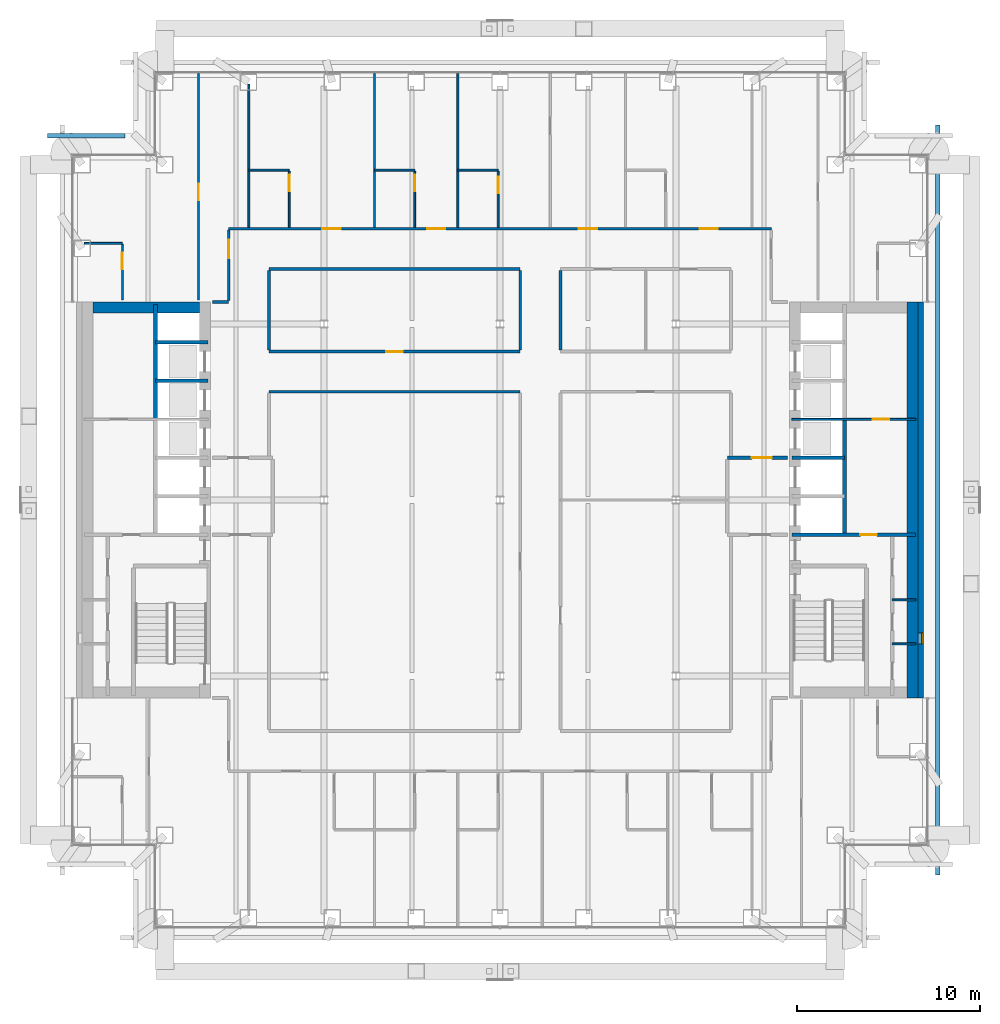
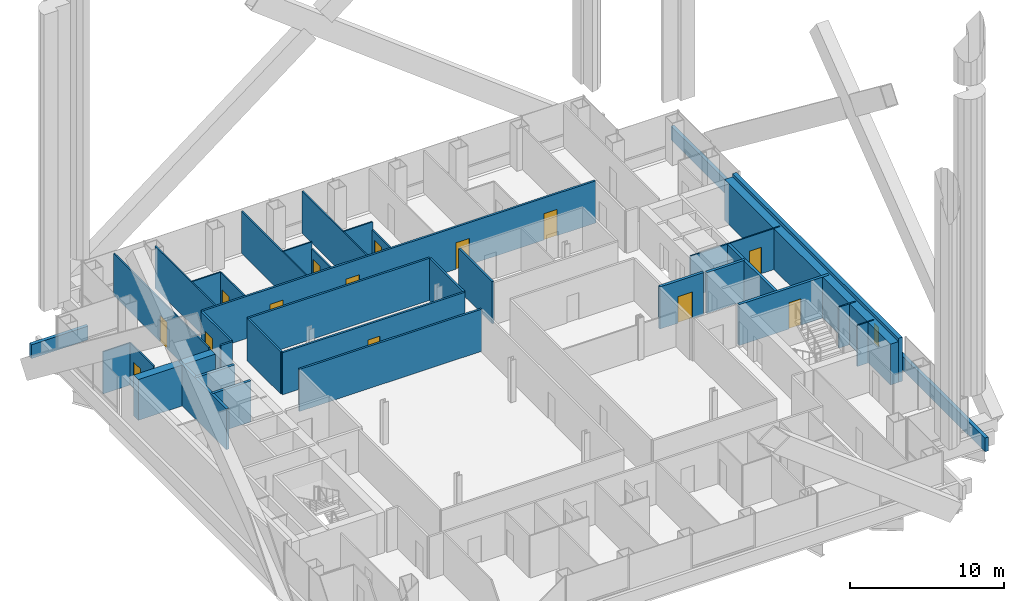
# One storey, part 15 of 22: 36 walls, 14 doors, 1 window, 15 openings.
"""IFC4 building model written with IfcOpenShell, lengths in metres."""

from ifc_helpers import new_model, si_unit, direction, frame, frame_2d, origin, place, context, subcontext, project, spatial, rectangle, extrude, material, layer, layer_set, type_object, element, fill, save


model = new_model("IFC4")

# Units and contexts
model_context = context("Model", 3, precision=1e-05, world=origin(), true_north=direction((0.0, 1.0)))
body_context = subcontext(model_context, "Body", "Model", "MODEL_VIEW")
ifc_project = project(units=[si_unit("LENGTHUNIT", "METRE"), si_unit("AREAUNIT", "SQUARE_METRE"), si_unit("VOLUMEUNIT", "CUBIC_METRE"), si_unit("PLANEANGLEUNIT", "RADIAN"), si_unit("MASSUNIT", "GRAM", prefix="KILO")], contexts=[model_context])

# Site, building, storey
site_placement = place(None, origin())
site = spatial("IfcSite", under=ifc_project, at=site_placement, CompositionType="ELEMENT")
building_placement = place(site_placement, origin())
building = spatial("IfcBuilding", under=site, at=building_placement, Name="Cobrizo Arcos Hotel Tower", CompositionType="ELEMENT")
storey_placement = place(building_placement, frame((0.0, 0.0, 89.0)))
storey = spatial("IfcBuildingStorey", under=building, at=storey_placement, Name="L21", CompositionType="ELEMENT", Elevation=89.0)

# Wall
ifc_material_1 = material(Name="Gypsum board partition")
ifc_layer_1 = layer(ifc_material_1, 0.14990234375)
ifc_layer_set_1 = layer_set([ifc_layer_1], Name="Corridor wall EI 60 150")
wall_type_1 = type_object("IfcWallType", Name="Corridor wall EI 60 150", PredefinedType="PARTITIONING", material=ifc_layer_set_1)
wall_1_placement = place(storey_placement, frame((-12.60009765625, 5.89990234375, 0.0), z_axis=(0.0, 0.0, 1.0), x_axis=(1.0, 0.0, 0.0)))
element("IfcWall", 1, at=wall_1_placement, inside=storey, type_object=wall_type_1, Name="Partition 033", PredefinedType="PARTITIONING", context=body_context, shape_type="SweptSolid", body=[
    extrude(rectangle(XDim=13.7001953125, YDim=0.14990234375, at=frame_2d((6.85009765625, 0.0))), origin(), (0.0, 0.0, 1.0), 3.35009765625),
])

# Wall, opening, door
wall_2_placement = place(storey_placement, frame((-12.60009765625, 8.10009765625, 0.0), z_axis=(0.0, 0.0, 1.0), x_axis=(1.0, 0.0, 0.0)))
wall_2 = element("IfcWall", 2, at=wall_2_placement, inside=storey, type_object=wall_type_1, Name="Partition 037", PredefinedType="PARTITIONING", context=body_context, shape_type="SweptSolid", body=[
    extrude(rectangle(XDim=13.7001953125, YDim=0.14990234375, at=frame_2d((6.85009765625, 0.0))), origin(), (0.0, 0.0, 1.0), 3.35009765625),
])
opening_1_placement = place(wall_2_placement, frame((6.39990234375, 0.0, 0.0)))
opening_1 = element("IfcOpeningElement", 3, at=opening_1_placement, cuts=wall_2, Name="Opening RD-17", PredefinedType="OPENING", context=body_context, shape_type="SweptSolid", body=[
    extrude(rectangle(XDim=0.89990234375, YDim=2.10009765625, at=frame_2d((0.449951171875, 1.050048828125))), frame((0.0, 0.0869140625, 0.0), z_axis=(0.0, -1.0, 0.0), x_axis=(1.0, 0.0, 0.0)), (0.0, 0.0, 1.0), 0.173828125),
])
ifc_material_2 = material(Name="Timber door leaf", Category="wood")
door_type_1 = type_object("IfcDoorType", Name="Room door FD30 900x2100", OperationType="SINGLE_SWING_LEFT", PredefinedType="DOOR", material=ifc_material_2)
door_1_placement = place(opening_1_placement, origin())
door_1 = element("IfcDoor", 4, at=door_1_placement, inside=storey, type_object=door_type_1, Name="Door RD-17", OperationType="SINGLE_SWING_RIGHT", OverallHeight=2.10009765625, OverallWidth=0.89990234375, PredefinedType="DOOR", context=body_context, shape_type="SweptSolid", body=[
    extrude(rectangle(XDim=0.89990234375, YDim=2.10009765625, at=frame_2d((0.449951171875, 1.050048828125))), frame((0.0, 0.02490234375, 0.0), z_axis=(0.0, -1.0, 0.0), x_axis=(1.0, 0.0, 0.0)), (0.0, 0.0, 1.0), 0.050048828125),
])
fill(opening_1, door_1)

# Walls
wall_3_placement = place(storey_placement, frame((-15.679931640625, 10.800048828125, 0.0), z_axis=(0.0, 0.0, 1.0), x_axis=(1.0, 0.0, 0.0)))
element("IfcWall", 5, at=wall_3_placement, inside=storey, type_object=wall_type_1, Name="Partition 041", PredefinedType="PARTITIONING", context=body_context, shape_type="SweptSolid", body=[
    extrude(rectangle(XDim=0.8798828125, YDim=0.14990234375, at=frame_2d((0.43994140625, 0.0))), origin(), (0.0, 0.0, 1.0), 3.35009765625),
])
wall_4_placement = place(storey_placement, frame((-12.60009765625, 12.60009765625, 0.0), z_axis=(0.0, 0.0, 1.0), x_axis=(1.0, 0.0, 0.0)))
element("IfcWall", 6, at=wall_4_placement, inside=storey, type_object=wall_type_1, Name="Partition 043", PredefinedType="PARTITIONING", context=body_context, shape_type="SweptSolid", body=[
    extrude(rectangle(XDim=13.7001953125, YDim=0.14990234375, at=frame_2d((6.85009765625, 0.0))), origin(), (0.0, 0.0, 1.0), 3.35009765625),
])

# Wall, openings, doors
wall_5_placement = place(storey_placement, frame((-14.800048828125, 14.800048828125, 0.0), z_axis=(0.0, 0.0, 1.0), x_axis=(1.0, 0.0, 0.0)))
wall_5 = element("IfcWall", 7, at=wall_5_placement, inside=storey, type_object=wall_type_1, Name="Partition 047", PredefinedType="PARTITIONING", context=body_context, shape_type="SweptSolid", body=[
    extrude(rectangle(XDim=29.60009765625, YDim=0.14990234375, at=frame_2d((14.800048828125, 0.0))), origin(), (0.0, 0.0, 1.0), 3.35009765625),
])
opening_2_placement = place(wall_5_placement, frame((5.10693359375, 0.0, 0.0)))
opening_2 = element("IfcOpeningElement", 8, at=opening_2_placement, cuts=wall_5, Name="Opening GD-01", PredefinedType="OPENING", context=body_context, shape_type="SweptSolid", body=[
    extrude(rectangle(XDim=1.0, YDim=2.10009765625, at=frame_2d((0.5, 1.050048828125))), frame((0.0, 0.0869140625, 0.0), z_axis=(0.0, -1.0, 0.0), x_axis=(1.0, 0.0, 0.0)), (0.0, 0.0, 1.0), 0.173828125),
])
opening_3_placement = place(wall_5_placement, frame((10.825927734375, 0.0, 0.0)))
opening_3 = element("IfcOpeningElement", 9, at=opening_3_placement, cuts=wall_5, Name="Opening GD-02", PredefinedType="OPENING", context=body_context, shape_type="SweptSolid", body=[
    extrude(rectangle(XDim=1.0, YDim=2.10009765625, at=frame_2d((0.5, 1.050048828125))), frame((0.0, 0.0869140625, 0.0), z_axis=(0.0, -1.0, 0.0), x_axis=(1.0, 0.0, 0.0)), (0.0, 0.0, 1.0), 0.173828125),
])
opening_4_placement = place(wall_5_placement, frame((19.10400390625, 0.0, 0.0)))
opening_4 = element("IfcOpeningElement", 10, at=opening_4_placement, cuts=wall_5, Name="Opening GD-03", PredefinedType="OPENING", context=body_context, shape_type="SweptSolid", body=[
    extrude(rectangle(XDim=1.0, YDim=2.10009765625, at=frame_2d((0.5, 1.050048828125))), frame((0.0, 0.0869140625, 0.0), z_axis=(0.0, -1.0, 0.0), x_axis=(1.0, 0.0, 0.0)), (0.0, 0.0, 1.0), 0.173828125),
])
opening_5_placement = place(wall_5_placement, frame((25.694091796875, 0.0, 0.0)))
opening_5 = element("IfcOpeningElement", 11, at=opening_5_placement, cuts=wall_5, Name="Opening GD-04", PredefinedType="OPENING", context=body_context, shape_type="SweptSolid", body=[
    extrude(rectangle(XDim=1.0, YDim=2.10009765625, at=frame_2d((0.5, 1.050048828125))), frame((0.0, 0.0869140625, 0.0), z_axis=(0.0, -1.0, 0.0), x_axis=(1.0, 0.0, 0.0)), (0.0, 0.0, 1.0), 0.173828125),
])
door_type_2 = type_object("IfcDoorType", Name="Guest room door FD30S 1000x2100", OperationType="SINGLE_SWING_LEFT", PredefinedType="DOOR", material=ifc_material_2)
door_2_placement = place(opening_2_placement, origin())
door_2 = element("IfcDoor", 12, at=door_2_placement, inside=storey, type_object=door_type_2, Name="Door GD-01", OperationType="SINGLE_SWING_LEFT", OverallHeight=2.10009765625, OverallWidth=1.0, PredefinedType="DOOR", context=body_context, shape_type="SweptSolid", body=[
    extrude(rectangle(XDim=1.0, YDim=2.10009765625, at=frame_2d((0.5, 1.050048828125))), frame((0.0, 0.02490234375, 0.0), z_axis=(0.0, -1.0, 0.0), x_axis=(1.0, 0.0, 0.0)), (0.0, 0.0, 1.0), 0.050048828125),
])
fill(opening_2, door_2)
door_3_placement = place(opening_3_placement, origin())
door_3 = element("IfcDoor", 13, at=door_3_placement, inside=storey, type_object=door_type_2, Name="Door GD-02", OperationType="SINGLE_SWING_LEFT", OverallHeight=2.10009765625, OverallWidth=1.0, PredefinedType="DOOR", context=body_context, shape_type="SweptSolid", body=[
    extrude(rectangle(XDim=1.0, YDim=2.10009765625, at=frame_2d((0.5, 1.050048828125))), frame((0.0, 0.02490234375, 0.0), z_axis=(0.0, -1.0, 0.0), x_axis=(1.0, 0.0, 0.0)), (0.0, 0.0, 1.0), 0.050048828125),
])
fill(opening_3, door_3)
door_4_placement = place(opening_4_placement, origin())
door_4 = element("IfcDoor", 14, at=door_4_placement, inside=storey, type_object=door_type_2, Name="Door GD-03", OperationType="SINGLE_SWING_LEFT", OverallHeight=2.10009765625, OverallWidth=1.0, PredefinedType="DOOR", context=body_context, shape_type="SweptSolid", body=[
    extrude(rectangle(XDim=1.0, YDim=2.10009765625, at=frame_2d((0.5, 1.050048828125))), frame((0.0, 0.02490234375, 0.0), z_axis=(0.0, -1.0, 0.0), x_axis=(1.0, 0.0, 0.0)), (0.0, 0.0, 1.0), 0.050048828125),
])
fill(opening_4, door_4)
door_5_placement = place(opening_5_placement, origin())
door_5 = element("IfcDoor", 15, at=door_5_placement, inside=storey, type_object=door_type_2, Name="Door GD-04", OperationType="SINGLE_SWING_LEFT", OverallHeight=2.10009765625, OverallWidth=1.0, PredefinedType="DOOR", context=body_context, shape_type="SweptSolid", body=[
    extrude(rectangle(XDim=1.0, YDim=2.10009765625, at=frame_2d((0.5, 1.050048828125))), frame((0.0, 0.02490234375, 0.0), z_axis=(0.0, -1.0, 0.0), x_axis=(1.0, 0.0, 0.0)), (0.0, 0.0, 1.0), 0.050048828125),
])
fill(opening_5, door_5)

# Wall, opening, door
wall_6_placement = place(storey_placement, frame((-14.800048828125, 10.875, 0.0), z_axis=(0.0, 0.0, 1.0), x_axis=(0.0, 1.0, 0.0)))
wall_6 = element("IfcWall", 16, at=wall_6_placement, inside=storey, type_object=wall_type_1, Name="Partition 061", PredefinedType="PARTITIONING", context=body_context, shape_type="SweptSolid", body=[
    extrude(rectangle(XDim=3.85009765625, YDim=0.14990234375, at=frame_2d((1.925048828125, 0.0))), origin(), (0.0, 0.0, 1.0), 3.35009765625),
])
opening_6_placement = place(wall_6_placement, frame((2.324951171875, 0.0, 0.0)))
opening_6 = element("IfcOpeningElement", 17, at=opening_6_placement, cuts=wall_6, Name="Opening GD-11", PredefinedType="OPENING", context=body_context, shape_type="SweptSolid", body=[
    extrude(rectangle(XDim=1.0, YDim=2.10009765625, at=frame_2d((0.5, 1.050048828125))), frame((0.0, 0.0869140625, 0.0), z_axis=(0.0, -1.0, 0.0), x_axis=(1.0, 0.0, 0.0)), (0.0, 0.0, 1.0), 0.173828125),
])
door_6_placement = place(opening_6_placement, origin())
door_6 = element("IfcDoor", 18, at=door_6_placement, inside=storey, type_object=door_type_2, Name="Door GD-11", OperationType="SINGLE_SWING_LEFT", OverallHeight=2.10009765625, OverallWidth=1.0, PredefinedType="DOOR", context=body_context, shape_type="SweptSolid", body=[
    extrude(rectangle(XDim=1.0, YDim=2.10009765625, at=frame_2d((0.5, 1.050048828125))), frame((0.0, 0.02490234375, 0.0), z_axis=(0.0, -1.0, 0.0), x_axis=(1.0, 0.0, 0.0)), (0.0, 0.0, 1.0), 0.050048828125),
])
fill(opening_6, door_6)

# Walls
for number, where, z_axis, x_axis, name in (
    (19, (-12.60009765625, 8.175048828125, 0.0), (0.0, 0.0, 1.0), (0.0, 1.0, 0.0), "Partition 066"),
    (20, (1.10009765625, 8.175048828125, 0.0), (0.0, 0.0, 1.0), (0.0, 1.0, 0.0), "Partition 080"),
    (21, (3.300048828125, 8.175048828125, 0.0), (0.0, 0.0, 1.0), (0.0, 1.0, 0.0), "Partition 084"),
):
    element("IfcWall", number, at=place(storey_placement, frame(where, z_axis=z_axis, x_axis=x_axis)), inside=storey, type_object=wall_type_1, Name=name, PredefinedType="PARTITIONING", context=body_context, shape_type="SweptSolid", body=[
        extrude(rectangle(XDim=4.349853515625, YDim=0.14990234375, at=frame_2d((2.1748046875, 0.0))), origin(), (0.0, 0.0, 1.0), 3.35009765625),
    ])

# Wall, opening, window
ifc_material_3 = material(Name="Aluminium composite panel pale metal", Category="aluminium")
ifc_layer_2 = layer(ifc_material_3, 0.300048828125)
ifc_layer_set_2 = layer_set([ifc_layer_2], Name="EW-1 insulated panel wall 300")
wall_type_2 = type_object("IfcWallType", Name="EW-1 insulated panel wall 300", PredefinedType="SOLIDWALL", material=ifc_layer_set_2)
wall_7_placement = place(storey_placement, frame((22.949951171875, -10.800048828125, 0.0), z_axis=(0.0, 0.0, 1.0), x_axis=(0.0, 1.0, 0.0)))
wall_7 = element("IfcWall", 22, at=wall_7_placement, inside=storey, type_object=wall_type_2, Name="Core face wall L21 E", PredefinedType="SOLIDWALL", context=body_context, shape_type="SweptSolid", body=[
    extrude(rectangle(XDim=21.60009765625, YDim=0.300048828125, at=frame_2d((10.800048828125, 0.0))), origin(), (0.0, 0.0, 1.0), 3.5),
])
opening_7_placement = place(wall_7_placement, frame((2.949951171875, 0.0, 1.0)))
opening_7 = element("IfcOpeningElement", 23, at=opening_7_placement, cuts=wall_7, Name="Opening W-43", PredefinedType="OPENING", context=body_context, shape_type="SweptSolid", body=[
    extrude(rectangle(XDim=0.60009765625, YDim=1.5, at=frame_2d((0.300048828125, 0.75))), frame((0.0, 0.162109375, 0.0), z_axis=(0.0, -1.0, 0.0), x_axis=(1.0, 0.0, 0.0)), (0.0, 0.0, 1.0), 0.323974609375),
])
ifc_material_4 = material(Name="Aluminium 6063-T6 and clear laminated glass", Category="aluminium")
window_type = type_object("IfcWindowType", Name="W-C1 core stair slot window 600x1500", PartitioningType="SINGLE_PANEL", PredefinedType="WINDOW", material=ifc_material_4)
window_placement = place(opening_7_placement, origin())
window = element("IfcWindow", 24, at=window_placement, inside=storey, type_object=window_type, Name="Core face wall L21 E window W-43", OverallHeight=1.5, OverallWidth=0.60009765625, PartitioningType="SINGLE_PANEL", PredefinedType="WINDOW", context=body_context, shape_type="SweptSolid", body=[
    extrude(rectangle(XDim=0.60009765625, YDim=1.5, at=frame_2d((0.300048828125, 0.75))), frame((0.0, -0.06005859375, 0.0), z_axis=(0.0, -1.0, 0.0), x_axis=(1.0, 0.0, 0.0)), (0.0, 0.0, 1.0), 0.06005859375),
])
fill(opening_7, window)

# Walls
ifc_layer_3 = layer(ifc_material_3, 0.25)
ifc_layer_set_3 = layer_set([ifc_layer_3], Name="PW-1 parapet wall")
wall_type_3 = type_object("IfcWallType", Name="PW-1 parapet wall", PredefinedType="PARAPET", material=ifc_layer_set_3)
wall_8_placement = place(storey_placement, frame((23.875, -20.449951171875, 0.0), z_axis=(0.0, 0.0, 1.0), x_axis=(0.0, 1.0, 0.0)))
element("IfcWall", 25, at=wall_8_placement, inside=storey, type_object=wall_type_3, Name="Parapet L20 E", PredefinedType="PARAPET", context=body_context, shape_type="SweptSolid", body=[
    extrude(rectangle(XDim=40.89990234375, YDim=0.25, at=frame_2d((20.449951171875, 0.0))), origin(), (0.0, 0.0, 1.0), 1.10009765625),
])
wall_9_placement = place(storey_placement, frame((-20.449951171875, 19.875, 0.0), z_axis=(0.0, 0.0, 1.0), x_axis=(-1.0, 0.0, 0.0)))
element("IfcWall", 26, at=wall_9_placement, inside=storey, type_object=wall_type_3, Name="Parapet L20 N", PredefinedType="PARAPET", context=body_context, shape_type="SweptSolid", body=[
    extrude(rectangle(XDim=4.25, YDim=0.25, at=frame_2d((2.125, 0.0))), origin(), (0.0, 0.0, 1.0), 1.10009765625),
])
ifc_layer_4 = layer(ifc_material_1, 0.10009765625)
ifc_layer_set_4 = layer_set([ifc_layer_4], Name="Partition EI 30 100")
wall_type_4 = type_object("IfcWallType", Name="Partition EI 30 100", PredefinedType="PARTITIONING", material=ifc_layer_set_4)
for number, where, z_axis, x_axis, name in (
    (27, (21.39990234375, -7.85009765625, 0.0), (0.0, 0.0, 1.0), (1.0, 0.0, 0.0), "Partition 013"),
    (28, (21.39990234375, -5.449951171875, 0.0), (0.0, 0.0, 1.0), (1.0, 0.0, 0.0), "Partition 015"),
):
    element("IfcWall", number, at=place(storey_placement, frame(where, z_axis=z_axis, x_axis=x_axis)), inside=storey, type_object=wall_type_4, Name=name, PredefinedType="PARTITIONING", context=body_context, shape_type="SweptSolid", body=[
        extrude(rectangle(XDim=1.280029296875, YDim=0.10009765625, at=frame_2d((0.64013671875, 0.0))), origin(), (0.0, 0.0, 1.0), 3.25),
    ])

# Wall, opening, door
wall_10_placement = place(storey_placement, frame((15.919921875, 4.39990234375, 0.0), z_axis=(0.0, 0.0, 1.0), x_axis=(1.0, 0.0, 0.0)))
wall_10 = element("IfcWall", 29, at=wall_10_placement, inside=storey, type_object=wall_type_4, Name="Partition 032", PredefinedType="PARTITIONING", context=body_context, shape_type="SweptSolid", body=[
    extrude(rectangle(XDim=6.760009765625, YDim=0.10009765625, at=frame_2d((3.3798828125, 0.0))), origin(), (0.0, 0.0, 1.0), 3.25),
])
opening_8_placement = place(wall_10_placement, frame((4.429931640625, 0.0, 0.0)))
opening_8 = element("IfcOpeningElement", 30, at=opening_8_placement, cuts=wall_10, Name="Opening RD-10", PredefinedType="OPENING", context=body_context, shape_type="SweptSolid", body=[
    extrude(rectangle(XDim=0.89990234375, YDim=2.10009765625, at=frame_2d((0.449951171875, 1.050048828125))), frame((0.0, 0.06201171875, 0.0), z_axis=(0.0, -1.0, 0.0), x_axis=(1.0, 0.0, 0.0)), (0.0, 0.0, 1.0), 0.1240234375),
])
door_7_placement = place(opening_8_placement, origin())
door_7 = element("IfcDoor", 31, at=door_7_placement, inside=storey, type_object=door_type_1, Name="Door RD-10", OperationType="SINGLE_SWING_LEFT", OverallHeight=2.10009765625, OverallWidth=0.89990234375, PredefinedType="DOOR", context=body_context, shape_type="SweptSolid", body=[
    extrude(rectangle(XDim=0.89990234375, YDim=2.10009765625, at=frame_2d((0.449951171875, 1.050048828125))), frame((0.0, 0.02490234375, 0.0), z_axis=(0.0, -1.0, 0.0), x_axis=(1.0, 0.0, 0.0)), (0.0, 0.0, 1.0), 0.050048828125),
])
fill(opening_8, door_7)

# Walls
wall_11_placement = place(storey_placement, frame((-22.679931640625, 14.0, 0.0), z_axis=(0.0, 0.0, 1.0), x_axis=(1.0, 0.0, 0.0)))
element("IfcWall", 32, at=wall_11_placement, inside=storey, type_object=wall_type_4, Name="Partition 045", PredefinedType="PARTITIONING", context=body_context, shape_type="SweptSolid", body=[
    extrude(rectangle(XDim=2.079833984375, YDim=0.10009765625, at=frame_2d((1.0400390625, 0.0))), origin(), (0.0, 0.0, 1.0), 3.35009765625),
])
wall_12_placement = place(storey_placement, frame((-13.699951171875, 18.0, 0.0), z_axis=(0.0, 0.0, 1.0), x_axis=(1.0, 0.0, 0.0)))
element("IfcWall", 33, at=wall_12_placement, inside=storey, type_object=wall_type_4, Name="Partition 048", PredefinedType="PARTITIONING", context=body_context, shape_type="SweptSolid", body=[
    extrude(rectangle(XDim=2.199951171875, YDim=0.10009765625, at=frame_2d((1.10009765625, 0.0))), origin(), (0.0, 0.0, 1.0), 3.35009765625),
])
wall_13_placement = place(storey_placement, frame((-6.85009765625, 18.0, 0.0), z_axis=(0.0, 0.0, 1.0), x_axis=(1.0, 0.0, 0.0)))
element("IfcWall", 34, at=wall_13_placement, inside=storey, type_object=wall_type_4, Name="Partition 049", PredefinedType="PARTITIONING", context=body_context, shape_type="SweptSolid", body=[
    extrude(rectangle(XDim=2.2001953125, YDim=0.10009765625, at=frame_2d((1.10009765625, 0.0))), origin(), (0.0, 0.0, 1.0), 3.35009765625),
])
wall_14_placement = place(storey_placement, frame((-2.300048828125, 18.0, 0.0), z_axis=(0.0, 0.0, 1.0), x_axis=(1.0, 0.0, 0.0)))
element("IfcWall", 35, at=wall_14_placement, inside=storey, type_object=wall_type_4, Name="Partition 050", PredefinedType="PARTITIONING", context=body_context, shape_type="SweptSolid", body=[
    extrude(rectangle(XDim=2.199951171875, YDim=0.10009765625, at=frame_2d((1.10009765625, 0.0))), origin(), (0.0, 0.0, 1.0), 3.35009765625),
])

# Wall, opening, door
wall_15_placement = place(storey_placement, frame((-20.60009765625, 10.919921875, 0.0), z_axis=(0.0, 0.0, 1.0), x_axis=(0.0, 1.0, 0.0)))
wall_15 = element("IfcWall", 36, at=wall_15_placement, inside=storey, type_object=wall_type_4, Name="Partition 054", PredefinedType="PARTITIONING", context=body_context, shape_type="SweptSolid", body=[
    extrude(rectangle(XDim=3.030029296875, YDim=0.10009765625, at=frame_2d((1.51513671875, 0.0))), origin(), (0.0, 0.0, 1.0), 3.35009765625),
])
opening_9_placement = place(wall_15_placement, frame((1.669921875, 0.0, 0.0)))
opening_9 = element("IfcOpeningElement", 37, at=opening_9_placement, cuts=wall_15, Name="Opening ED-11", PredefinedType="OPENING", context=body_context, shape_type="SweptSolid", body=[
    extrude(rectangle(XDim=0.89990234375, YDim=2.10009765625, at=frame_2d((0.449951171875, 1.050048828125))), frame((0.0, 0.06201171875, 0.0), z_axis=(0.0, -1.0, 0.0), x_axis=(1.0, 0.0, 0.0)), (0.0, 0.0, 1.0), 0.1240234375),
])
door_type_3 = type_object("IfcDoorType", Name="En-suite door 900x2100", OperationType="SINGLE_SWING_LEFT", PredefinedType="DOOR", material=ifc_material_2)
door_8_placement = place(opening_9_placement, origin())
door_8 = element("IfcDoor", 38, at=door_8_placement, inside=storey, type_object=door_type_3, Name="Door ED-11", OperationType="SINGLE_SWING_LEFT", OverallHeight=2.10009765625, OverallWidth=0.89990234375, PredefinedType="DOOR", context=body_context, shape_type="SweptSolid", body=[
    extrude(rectangle(XDim=0.89990234375, YDim=2.10009765625, at=frame_2d((0.449951171875, 1.050048828125))), frame((0.0, 0.02490234375, 0.0), z_axis=(0.0, -1.0, 0.0), x_axis=(1.0, 0.0, 0.0)), (0.0, 0.0, 1.0), 0.050048828125),
])
fill(opening_9, door_8)

wall_16_placement = place(storey_placement, frame((-16.449951171875, 10.919921875, 0.0), z_axis=(0.0, 0.0, 1.0), x_axis=(0.0, 1.0, 0.0)))
wall_16 = element("IfcWall", 39, at=wall_16_placement, inside=storey, type_object=wall_type_4, Name="Partition 059", PredefinedType="PARTITIONING", context=body_context, shape_type="SweptSolid", body=[
    extrude(rectangle(XDim=12.360107421875, YDim=0.10009765625, at=frame_2d((6.18017578125, 0.0))), origin(), (0.0, 0.0, 1.0), 3.35009765625),
])
opening_10_placement = place(wall_16_placement, frame((5.429931640625, 0.0, 0.0)))
opening_10 = element("IfcOpeningElement", 40, at=opening_10_placement, cuts=wall_16, Name="Opening RD-13", PredefinedType="OPENING", context=body_context, shape_type="SweptSolid", body=[
    extrude(rectangle(XDim=0.89990234375, YDim=2.10009765625, at=frame_2d((0.449951171875, 1.050048828125))), frame((0.0, 0.06201171875, 0.0), z_axis=(0.0, -1.0, 0.0), x_axis=(1.0, 0.0, 0.0)), (0.0, 0.0, 1.0), 0.1240234375),
])
door_9_placement = place(opening_10_placement, origin())
door_9 = element("IfcDoor", 41, at=door_9_placement, inside=storey, type_object=door_type_1, Name="Door RD-13", OperationType="SINGLE_SWING_RIGHT", OverallHeight=2.10009765625, OverallWidth=0.89990234375, PredefinedType="DOOR", context=body_context, shape_type="SweptSolid", body=[
    extrude(rectangle(XDim=0.89990234375, YDim=2.10009765625, at=frame_2d((0.449951171875, 1.050048828125))), frame((0.0, 0.02490234375, 0.0), z_axis=(0.0, -1.0, 0.0), x_axis=(1.0, 0.0, 0.0)), (0.0, 0.0, 1.0), 0.050048828125),
])
fill(opening_10, door_9)

# Wall
wall_17_placement = place(storey_placement, frame((-13.699951171875, 14.875, 0.0), z_axis=(0.0, 0.0, 1.0), x_axis=(0.0, 1.0, 0.0)))
element("IfcWall", 42, at=wall_17_placement, inside=storey, type_object=wall_type_4, Name="Partition 063", PredefinedType="PARTITIONING", context=body_context, shape_type="SweptSolid", body=[
    extrude(rectangle(XDim=7.804931640625, YDim=0.10009765625, at=frame_2d((3.90234375, 0.0))), origin(), (0.0, 0.0, 1.0), 3.35009765625),
])

# Wall, opening, door
wall_18_placement = place(storey_placement, frame((-11.5, 14.875, 0.0), z_axis=(0.0, 0.0, 1.0), x_axis=(0.0, 1.0, 0.0)))
wall_18 = element("IfcWall", 43, at=wall_18_placement, inside=storey, type_object=wall_type_4, Name="Partition 068", PredefinedType="PARTITIONING", context=body_context, shape_type="SweptSolid", body=[
    extrude(rectangle(XDim=3.074951171875, YDim=0.10009765625, at=frame_2d((1.53759765625, 0.0))), origin(), (0.0, 0.0, 1.0), 3.35009765625),
])
opening_11_placement = place(wall_18_placement, frame((1.970947265625, 0.0, 0.0)))
opening_11 = element("IfcOpeningElement", 44, at=opening_11_placement, cuts=wall_18, Name="Opening ED-01", PredefinedType="OPENING", context=body_context, shape_type="SweptSolid", body=[
    extrude(rectangle(XDim=0.89990234375, YDim=2.10009765625, at=frame_2d((0.449951171875, 1.050048828125))), frame((0.0, 0.06201171875, 0.0), z_axis=(0.0, -1.0, 0.0), x_axis=(1.0, 0.0, 0.0)), (0.0, 0.0, 1.0), 0.1240234375),
])
door_10_placement = place(opening_11_placement, origin())
door_10 = element("IfcDoor", 45, at=door_10_placement, inside=storey, type_object=door_type_3, Name="Door ED-01", OperationType="SINGLE_SWING_RIGHT", OverallHeight=2.10009765625, OverallWidth=0.89990234375, PredefinedType="DOOR", context=body_context, shape_type="SweptSolid", body=[
    extrude(rectangle(XDim=0.89990234375, YDim=2.10009765625, at=frame_2d((0.449951171875, 1.050048828125))), frame((0.0, 0.02490234375, 0.0), z_axis=(0.0, -1.0, 0.0), x_axis=(1.0, 0.0, 0.0)), (0.0, 0.0, 1.0), 0.050048828125),
])
fill(opening_11, door_10)

# Wall
wall_19_placement = place(storey_placement, frame((-6.85009765625, 14.875, 0.0), z_axis=(0.0, 0.0, 1.0), x_axis=(0.0, 1.0, 0.0)))
element("IfcWall", 46, at=wall_19_placement, inside=storey, type_object=wall_type_4, Name="Partition 072", PredefinedType="PARTITIONING", context=body_context, shape_type="SweptSolid", body=[
    extrude(rectangle(XDim=8.405029296875, YDim=0.10009765625, at=frame_2d((4.20263671875, 0.0))), origin(), (0.0, 0.0, 1.0), 3.35009765625),
])

# Wall, opening, door
wall_20_placement = place(storey_placement, frame((-4.64990234375, 14.875, 0.0), z_axis=(0.0, 0.0, 1.0), x_axis=(0.0, 1.0, 0.0)))
wall_20 = element("IfcWall", 47, at=wall_20_placement, inside=storey, type_object=wall_type_4, Name="Partition 074", PredefinedType="PARTITIONING", context=body_context, shape_type="SweptSolid", body=[
    extrude(rectangle(XDim=3.074951171875, YDim=0.10009765625, at=frame_2d((1.53759765625, 0.0))), origin(), (0.0, 0.0, 1.0), 2.81689453125),
])
opening_12_placement = place(wall_20_placement, frame((1.970947265625, 0.0, 0.0)))
opening_12 = element("IfcOpeningElement", 48, at=opening_12_placement, cuts=wall_20, Name="Opening ED-02", PredefinedType="OPENING", context=body_context, shape_type="SweptSolid", body=[
    extrude(rectangle(XDim=0.89990234375, YDim=2.10009765625, at=frame_2d((0.449951171875, 1.050048828125))), frame((0.0, 0.06201171875, 0.0), z_axis=(0.0, -1.0, 0.0), x_axis=(1.0, 0.0, 0.0)), (0.0, 0.0, 1.0), 0.1240234375),
])
door_11_placement = place(opening_12_placement, origin())
door_11 = element("IfcDoor", 49, at=door_11_placement, inside=storey, type_object=door_type_3, Name="Door ED-02", OperationType="SINGLE_SWING_RIGHT", OverallHeight=2.10009765625, OverallWidth=0.89990234375, PredefinedType="DOOR", context=body_context, shape_type="SweptSolid", body=[
    extrude(rectangle(XDim=0.89990234375, YDim=2.10009765625, at=frame_2d((0.449951171875, 1.050048828125))), frame((0.0, 0.02490234375, 0.0), z_axis=(0.0, -1.0, 0.0), x_axis=(1.0, 0.0, 0.0)), (0.0, 0.0, 1.0), 0.050048828125),
])
fill(opening_12, door_11)

# Wall
wall_21_placement = place(storey_placement, frame((-2.300048828125, 14.875, 0.0), z_axis=(0.0, 0.0, 1.0), x_axis=(0.0, 1.0, 0.0)))
element("IfcWall", 50, at=wall_21_placement, inside=storey, type_object=wall_type_4, Name="Partition 076", PredefinedType="PARTITIONING", context=body_context, shape_type="SweptSolid", body=[
    extrude(rectangle(XDim=8.405029296875, YDim=0.10009765625, at=frame_2d((4.20263671875, 0.0))), origin(), (0.0, 0.0, 1.0), 3.35009765625),
])

# Wall, opening, door
wall_22_placement = place(storey_placement, frame((-0.10009765625, 14.875, 0.0), z_axis=(0.0, 0.0, 1.0), x_axis=(0.0, 1.0, 0.0)))
wall_22 = element("IfcWall", 51, at=wall_22_placement, inside=storey, type_object=wall_type_4, Name="Partition 078", PredefinedType="PARTITIONING", context=body_context, shape_type="SweptSolid", body=[
    extrude(rectangle(XDim=3.074951171875, YDim=0.10009765625, at=frame_2d((1.53759765625, 0.0))), origin(), (0.0, 0.0, 1.0), 2.72802734375),
])
opening_13_placement = place(wall_22_placement, frame((1.875, 0.0, 0.0)))
opening_13 = element("IfcOpeningElement", 52, at=opening_13_placement, cuts=wall_22, Name="Opening ED-03", PredefinedType="OPENING", context=body_context, shape_type="SweptSolid", body=[
    extrude(rectangle(XDim=0.89990234375, YDim=2.10009765625, at=frame_2d((0.449951171875, 1.050048828125))), frame((0.0, 0.06201171875, 0.0), z_axis=(0.0, -1.0, 0.0), x_axis=(1.0, 0.0, 0.0)), (0.0, 0.0, 1.0), 0.1240234375),
])
door_12_placement = place(opening_13_placement, origin())
door_12 = element("IfcDoor", 53, at=door_12_placement, inside=storey, type_object=door_type_3, Name="Door ED-03", OperationType="SINGLE_SWING_LEFT", OverallHeight=2.10009765625, OverallWidth=0.89990234375, PredefinedType="DOOR", context=body_context, shape_type="SweptSolid", body=[
    extrude(rectangle(XDim=0.89990234375, YDim=2.10009765625, at=frame_2d((0.449951171875, 1.050048828125))), frame((0.0, 0.02490234375, 0.0), z_axis=(0.0, -1.0, 0.0), x_axis=(1.0, 0.0, 0.0)), (0.0, 0.0, 1.0), 0.050048828125),
])
fill(opening_13, door_12)

# Walls
ifc_material_5 = material(Name="Concrete f'c 50 MPa", Category="concrete")
ifc_layer_5 = layer(ifc_material_5, 0.60009765625)
ifc_layer_set_5 = layer_set([ifc_layer_5], Name="RC core wall 600 f'c 50")
wall_type_5 = type_object("IfcWallType", Name="RC core wall 600 f'c 50", PredefinedType="SHEAR", material=ifc_layer_set_5)
wall_23_placement = place(storey_placement, frame((22.5, -10.800048828125, 0.0), z_axis=(0.0, 0.0, 1.0), x_axis=(0.0, 1.0, 0.0)))
element("IfcWall", 54, at=wall_23_placement, inside=storey, type_object=wall_type_5, Name="Core wall CW2, east core, outer face, L21", PredefinedType="SHEAR", context=body_context, shape_type="SweptSolid", body=[
    extrude(rectangle(XDim=21.60009765625, YDim=0.60009765625, at=frame_2d((10.800048828125, 0.0))), origin(), (0.0, 0.0, 1.0), 3.25),
])
wall_24_placement = place(storey_placement, frame((-22.199951171875, 10.5, 0.0), z_axis=(0.0, 0.0, 1.0), x_axis=(1.0, 0.0, 0.0)))
element("IfcWall", 55, at=wall_24_placement, inside=storey, type_object=wall_type_5, Name="Core wall CW2, west core, north end, L21", PredefinedType="SHEAR", context=body_context, shape_type="SweptSolid", body=[
    extrude(rectangle(XDim=5.800048828125, YDim=0.60009765625, at=frame_2d((2.89990234375, 0.0))), origin(), (0.0, 0.0, 1.0), 3.25),
])

# Wall, opening, door
ifc_layer_6 = layer(ifc_material_1, 0.199951171875)
ifc_layer_set_6 = layer_set([ifc_layer_6], Name="Shaft wall EI 120 200")
wall_type_6 = type_object("IfcWallType", Name="Shaft wall EI 120 200", PredefinedType="PARTITIONING", material=ifc_layer_set_6)
wall_25_placement = place(storey_placement, frame((15.919921875, -1.89990234375, 0.0), z_axis=(0.0, 0.0, 1.0), x_axis=(1.0, 0.0, 0.0)))
wall_25 = element("IfcWall", 56, at=wall_25_placement, inside=storey, type_object=wall_type_6, Name="Partition 021", PredefinedType="PARTITIONING", context=body_context, shape_type="SweptSolid", body=[
    extrude(rectangle(XDim=6.760009765625, YDim=0.199951171875, at=frame_2d((3.3798828125, 0.0))), origin(), (0.0, 0.0, 1.0), 3.25),
])
opening_14_placement = place(wall_25_placement, frame((3.739990234375, 0.0, 0.0)))
opening_14 = element("IfcOpeningElement", 57, at=opening_14_placement, cuts=wall_25, Name="Opening RD-09", PredefinedType="OPENING", context=body_context, shape_type="SweptSolid", body=[
    extrude(rectangle(XDim=0.89990234375, YDim=2.10009765625, at=frame_2d((0.449951171875, 1.050048828125))), frame((0.0, 0.112060546875, 0.0), z_axis=(0.0, -1.0, 0.0), x_axis=(1.0, 0.0, 0.0)), (0.0, 0.0, 1.0), 0.223876953125),
])
door_13_placement = place(opening_14_placement, origin())
door_13 = element("IfcDoor", 58, at=door_13_placement, inside=storey, type_object=door_type_1, Name="Door RD-09", OperationType="SINGLE_SWING_RIGHT", OverallHeight=2.10009765625, OverallWidth=0.89990234375, PredefinedType="DOOR", context=body_context, shape_type="SweptSolid", body=[
    extrude(rectangle(XDim=0.89990234375, YDim=2.10009765625, at=frame_2d((0.449951171875, 1.050048828125))), frame((0.0, 0.02490234375, 0.0), z_axis=(0.0, -1.0, 0.0), x_axis=(1.0, 0.0, 0.0)), (0.0, 0.0, 1.0), 0.050048828125),
])
fill(opening_14, door_13)

wall_26_placement = place(storey_placement, frame((12.39990234375, 2.300048828125, 0.0), z_axis=(0.0, 0.0, 1.0), x_axis=(1.0, 0.0, 0.0)))
wall_26 = element("IfcWall", 59, at=wall_26_placement, inside=storey, type_object=wall_type_6, Name="Partition 029", PredefinedType="PARTITIONING", context=body_context, shape_type="SweptSolid", body=[
    extrude(rectangle(XDim=3.280029296875, YDim=0.199951171875, at=frame_2d((1.64013671875, 0.0))), origin(), (0.0, 0.0, 1.0), 3.35009765625),
])
opening_15_placement = place(wall_26_placement, frame((1.340087890625, 0.0, 0.0)))
opening_15 = element("IfcOpeningElement", 60, at=opening_15_placement, cuts=wall_26, Name="Opening FD-06", PredefinedType="OPENING", context=body_context, shape_type="SweptSolid", body=[
    extrude(rectangle(XDim=1.10009765625, YDim=2.10009765625, at=frame_2d((0.550048828125, 1.050048828125))), frame((0.0, 0.112060546875, 0.0), z_axis=(0.0, -1.0, 0.0), x_axis=(1.0, 0.0, 0.0)), (0.0, 0.0, 1.0), 0.223876953125),
])
ifc_material_6 = material(Name="Steel door leaf", Category="steel")
door_type_4 = type_object("IfcDoorType", Name="Fire door FD60 1100x2100", OperationType="SINGLE_SWING_LEFT", PredefinedType="DOOR", material=ifc_material_6)
door_14_placement = place(opening_15_placement, origin())
door_14 = element("IfcDoor", 61, at=door_14_placement, inside=storey, type_object=door_type_4, Name="Door FD-06", OperationType="SINGLE_SWING_RIGHT", OverallHeight=2.10009765625, OverallWidth=1.10009765625, PredefinedType="DOOR", context=body_context, shape_type="SweptSolid", body=[
    extrude(rectangle(XDim=1.10009765625, YDim=2.10009765625, at=frame_2d((0.550048828125, 1.050048828125))), frame((0.0, 0.02490234375, 0.0), z_axis=(0.0, -1.0, 0.0), x_axis=(1.0, 0.0, 0.0)), (0.0, 0.0, 1.0), 0.050048828125),
])
fill(opening_15, door_14)

# Walls
for number, where, z_axis, x_axis, name in (
    (62, (15.919921875, 2.300048828125, 0.0), (0.0, 0.0, 1.0), (1.0, 0.0, 0.0), "Partition 030"),
    (63, (-18.800048828125, 6.5, 0.0), (0.0, 0.0, 1.0), (1.0, 0.0, 0.0), "Partition 035"),
    (64, (-18.800048828125, 8.60009765625, 0.0), (0.0, 0.0, 1.0), (1.0, 0.0, 0.0), "Partition 039"),
):
    element("IfcWall", number, at=place(storey_placement, frame(where, z_axis=z_axis, x_axis=x_axis)), inside=storey, type_object=wall_type_6, Name=name, PredefinedType="PARTITIONING", context=body_context, shape_type="SweptSolid", body=[
        extrude(rectangle(XDim=2.880126953125, YDim=0.199951171875, at=frame_2d((1.43994140625, 0.0))), origin(), (0.0, 0.0, 1.0), 3.25),
    ])
wall_27_placement = place(storey_placement, frame((-18.800048828125, 4.449951171875, 0.0), z_axis=(0.0, 0.0, 1.0), x_axis=(0.0, 1.0, 0.0)))
element("IfcWall", 65, at=wall_27_placement, inside=storey, type_object=wall_type_6, Name="Partition 058", PredefinedType="PARTITIONING", context=body_context, shape_type="SweptSolid", body=[
    extrude(rectangle(XDim=6.22998046875, YDim=0.199951171875, at=frame_2d((3.114990234375, 0.0))), origin(), (0.0, 0.0, 1.0), 3.25),
])
wall_28_placement = place(storey_placement, frame((18.800048828125, -1.800048828125, 0.0), z_axis=(0.0, 0.0, 1.0), x_axis=(0.0, 1.0, 0.0)))
element("IfcWall", 66, at=wall_28_placement, inside=storey, type_object=wall_type_6, Name="Partition 101", PredefinedType="PARTITIONING", context=body_context, shape_type="SweptSolid", body=[
    extrude(rectangle(XDim=6.150146484375, YDim=0.199951171875, at=frame_2d((3.0751953125, 0.0))), origin(), (0.0, 0.0, 1.0), 3.25),
])

save(model, "model.ifc")
